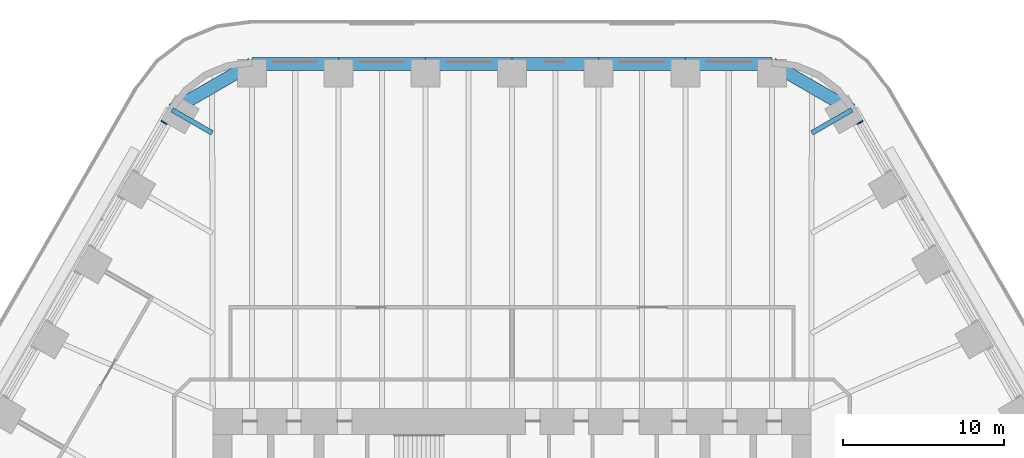
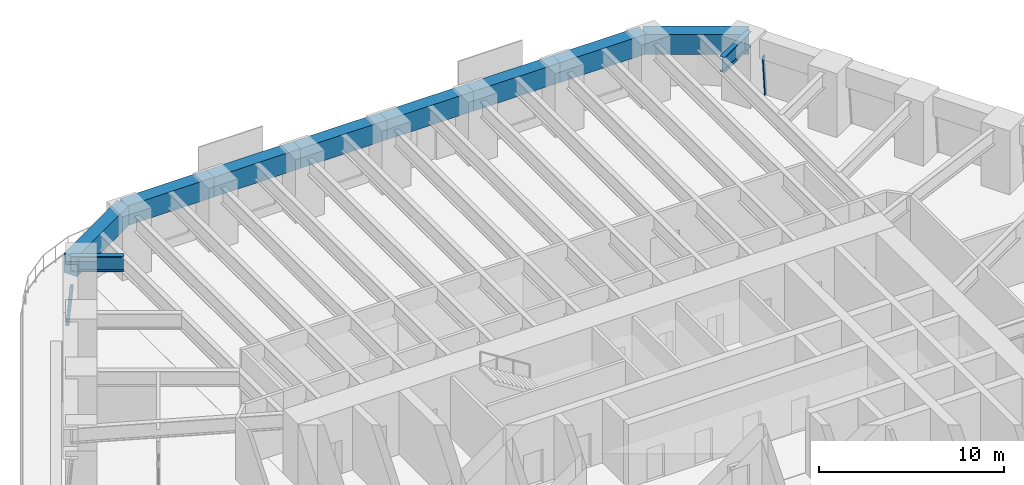
# One storey, part 14 of 24: 10 beams, 2 members, 2 elements without a shape of their own.
"""IFC4 building model written with IfcOpenShell, lengths in metres."""

from ifc_helpers import new_model, si_unit, direction, frame, origin, origin_2d, place, context, subcontext, project, spatial, rectangle, i_section, extrude, material, material_profile, profile_set, type_object, element, aggregate, save


model = new_model("IFC4")

# Units and contexts
model_context = context("Model", 3, precision=1e-05, world=origin(), true_north=direction((0.0, 1.0)))
body_context = subcontext(model_context, "Body", "Model", "MODEL_VIEW")
ifc_project = project(units=[si_unit("LENGTHUNIT", "METRE"), si_unit("AREAUNIT", "SQUARE_METRE"), si_unit("VOLUMEUNIT", "CUBIC_METRE"), si_unit("PLANEANGLEUNIT", "RADIAN"), si_unit("MASSUNIT", "GRAM", prefix="KILO")], contexts=[model_context])

# Site, building, storey
site_placement = place(None, origin())
site = spatial("IfcSite", under=ifc_project, at=site_placement, CompositionType="ELEMENT")
building_placement = place(site_placement, origin())
building = spatial("IfcBuilding", under=site, at=building_placement, Name="Tarfa Lantern Tower", CompositionType="ELEMENT")
storey_placement = place(building_placement, frame((0.0, 0.0, 94.89990234375)))
storey = spatial("IfcBuildingStorey", under=building, at=storey_placement, Name="L21", CompositionType="ELEMENT", Elevation=94.89990234375)

# Curtain wall, member
ifc_material_1 = material(Name="Aluminium framed curtain wall", Category="aluminium")
curtain_wall_type = type_object("IfcCurtainWallType", Name="CW1 CANTED GLAZING LOW ZONE 2700", PredefinedType="USERDEFINED", material=ifc_material_1)
curtain_wall_1_placement = place(storey_placement, origin())
curtain_wall_1 = element("IfcCurtainWall", 1, at=curtain_wall_1_placement, inside=storey, type_object=curtain_wall_type, Name="CW1 NE L21", ObjectType="CURTAIN WALL", PredefinedType="USERDEFINED")
ifc_material_2 = material(Name="Aluminium mullion", Category="aluminium")
ifc_material_profile_1 = material_profile(ifc_material_2, rectangle(XDim=0.06494140625, YDim=0.199951171875, at=origin_2d()), Name="AL MULLION 65x200")
ifc_profile_set_1 = profile_set([ifc_material_profile_1], Name="Aluminium mullion")
member_type = type_object("IfcMemberType", Name="CWM1 MULLION 65x200", PredefinedType="MULLION", material=ifc_profile_set_1)
member_1_placement = place(storey_placement, frame((21.74169921875, 30.142333984375, 0.0), z_axis=(-0.079857261722, -0.046095736191, 0.995739926314), x_axis=(0.499919672301, -0.866071776036, 0.0)))
member_1 = element("IfcMember", 2, at=member_1_placement, type_object=member_type, Name="CW1 mullion 2", PredefinedType="MULLION", context=body_context, shape_type="SweptSolid", body=[
    extrude(rectangle(XDim=0.06494140625, YDim=0.199951171875, at=origin_2d()), origin(), (0.0, 0.0, 1.0), 2.711669921875),
])
aggregate(curtain_wall_1, [member_1])

curtain_wall_2_placement = place(storey_placement, origin())
curtain_wall_2 = element("IfcCurtainWall", 3, at=curtain_wall_2_placement, inside=storey, type_object=curtain_wall_type, Name="CW1 NW L21", ObjectType="CURTAIN WALL", PredefinedType="USERDEFINED")
member_2_placement = place(storey_placement, frame((-21.74169921875, 30.142333984375, 0.0), z_axis=(0.079857261722, -0.046095736191, 0.995739926314), x_axis=(0.499919672301, 0.866071776036, 0.0)))
member_2 = element("IfcMember", 4, at=member_2_placement, type_object=member_type, Name="CW1 mullion 1", PredefinedType="MULLION", context=body_context, shape_type="SweptSolid", body=[
    extrude(rectangle(XDim=0.06494140625, YDim=0.199951171875, at=origin_2d()), origin(), (0.0, 0.0, 1.0), 2.711669921875),
])
aggregate(curtain_wall_2, [member_2])

# Beams
ifc_material_3 = material(Name="Concrete C80/95", Category="concrete")
ifc_material_profile_2 = material_profile(ifc_material_3, rectangle(XDim=0.800048828125, YDim=1.300048828125, at=origin_2d()), Name="RC 800x1300")
ifc_profile_set_2 = profile_set([ifc_material_profile_2], Name="Concrete C80/95")
beam_type_1 = type_object("IfcBeamType", Name="EB1 RC 800x1300", PredefinedType="SPANDREL", material=ifc_profile_set_2)
beam_1_placement = place(storey_placement, frame((21.119384765625, 30.860107421875, 3.35009765625), z_axis=(-0.866033479681, 0.499986011877, 0.0), x_axis=(-0.499986011877, -0.866033479681, 0.0)))
element("IfcBeam", 5, at=beam_1_placement, inside=storey, type_object=beam_type_1, Name="Edge beam NE6", PredefinedType="SPANDREL", context=body_context, shape_type="SweptSolid", body=[
    extrude(rectangle(XDim=0.800048828125, YDim=1.300048828125, at=origin_2d()), origin(), (0.0, 0.0, 1.0), 5.719970703125),
])
beam_2_placement = place(storey_placement, frame((16.165771484375, 33.719970703125, 3.35009765625), z_axis=(-1.0, 0.0, 0.0), x_axis=(0.0, -1.0, 0.0)))
element("IfcBeam", 6, at=beam_2_placement, inside=storey, type_object=beam_type_1, Name="Edge beam N0", PredefinedType="SPANDREL", context=body_context, shape_type="SweptSolid", body=[
    extrude(rectangle(XDim=0.800048828125, YDim=1.300048828125, at=origin_2d()), origin(), (0.0, 0.0, 1.0), 5.388671875),
])
beam_3_placement = place(storey_placement, frame((10.777099609375, 33.719970703125, 3.35009765625), z_axis=(-1.0, 0.0, 0.0), x_axis=(0.0, -1.0, 0.0)))
element("IfcBeam", 7, at=beam_3_placement, inside=storey, type_object=beam_type_1, Name="Edge beam N1", PredefinedType="SPANDREL", context=body_context, shape_type="SweptSolid", body=[
    extrude(rectangle(XDim=0.800048828125, YDim=1.300048828125, at=origin_2d()), origin(), (0.0, 0.0, 1.0), 5.388427734375),
])
for number, where, z_axis, x_axis, name in (
    (8, (5.388671875, 33.719970703125, 3.35009765625), (-1.0, 0.0, 0.0), (0.0, -1.0, 0.0), "Edge beam N2"),
    (9, (0.0, 33.719970703125, 3.35009765625), (-1.0, 0.0, 0.0), (0.0, -1.0, 0.0), "Edge beam N3"),
):
    element("IfcBeam", number, at=place(storey_placement, frame(where, z_axis=z_axis, x_axis=x_axis)), inside=storey, type_object=beam_type_1, Name=name, PredefinedType="SPANDREL", context=body_context, shape_type="SweptSolid", body=[
        extrude(rectangle(XDim=0.800048828125, YDim=1.300048828125, at=origin_2d()), origin(), (0.0, 0.0, 1.0), 5.388671875),
    ])
beam_4_placement = place(storey_placement, frame((-5.388671875, 33.719970703125, 3.35009765625), z_axis=(-1.0, 0.0, 0.0), x_axis=(0.0, -1.0, 0.0)))
element("IfcBeam", 10, at=beam_4_placement, inside=storey, type_object=beam_type_1, Name="Edge beam N4", PredefinedType="SPANDREL", context=body_context, shape_type="SweptSolid", body=[
    extrude(rectangle(XDim=0.800048828125, YDim=1.300048828125, at=origin_2d()), origin(), (0.0, 0.0, 1.0), 5.388427734375),
])
beam_5_placement = place(storey_placement, frame((-10.777099609375, 33.719970703125, 3.35009765625), z_axis=(-1.0, 0.0, 0.0), x_axis=(0.0, -1.0, 0.0)))
element("IfcBeam", 11, at=beam_5_placement, inside=storey, type_object=beam_type_1, Name="Edge beam N5", PredefinedType="SPANDREL", context=body_context, shape_type="SweptSolid", body=[
    extrude(rectangle(XDim=0.800048828125, YDim=1.300048828125, at=origin_2d()), origin(), (0.0, 0.0, 1.0), 5.388671875),
])
beam_6_placement = place(storey_placement, frame((-16.165771484375, 33.719970703125, 3.35009765625), z_axis=(-0.866033479681, -0.499986011877, 0.0), x_axis=(0.499986011877, -0.866033479681, 0.0)))
element("IfcBeam", 12, at=beam_6_placement, inside=storey, type_object=beam_type_1, Name="Edge beam N6", PredefinedType="SPANDREL", context=body_context, shape_type="SweptSolid", body=[
    extrude(rectangle(XDim=0.800048828125, YDim=1.300048828125, at=origin_2d()), origin(), (0.0, 0.0, 1.0), 5.719970703125),
])
ifc_material_4 = material(Name="Steel S460M", Category="steel")
ifc_material_profile_3 = material_profile(ifc_material_4, i_section(OverallWidth=0.302001953125, OverallDepth=1.008056640625, WebThickness=0.02099609375, FlangeThickness=0.0400390625, FilletRadius=0.030029296875, at=origin_2d()), Name="UB1016x305x349")
ifc_profile_set_3 = profile_set([ifc_material_profile_3], Name="Steel S460M")
beam_type_2 = type_object("IfcBeamType", Name="UB1016x305x349", PredefinedType="BEAM", material=ifc_profile_set_3)
for number, where, z_axis, x_axis, name in (
    (13, (21.119384765625, 30.860107421875, 3.49609375), (-0.866012580594, -0.500022209759, 0.0), (0.500022209759, -0.866012580594, 0.0), "Floor beam NE6"),
    (14, (-21.119384765625, 30.860107421875, 3.49609375), (0.866012580594, -0.500022209759, 0.0), (0.500022209759, 0.866012580594, 0.0), "Floor beam NW0"),
):
    element("IfcBeam", number, at=place(storey_placement, frame(where, z_axis=z_axis, x_axis=x_axis)), inside=storey, type_object=beam_type_2, Name=name, PredefinedType="BEAM", context=body_context, shape_type="SweptSolid", body=[
        extrude(i_section(OverallWidth=0.302001953125, OverallDepth=1.008056640625, WebThickness=0.02099609375, FlangeThickness=0.0400390625, FilletRadius=0.030029296875, at=origin_2d()), origin(), (0.0, 0.0, 1.0), 2.866943359375),
    ])

save(model, "model.ifc")
